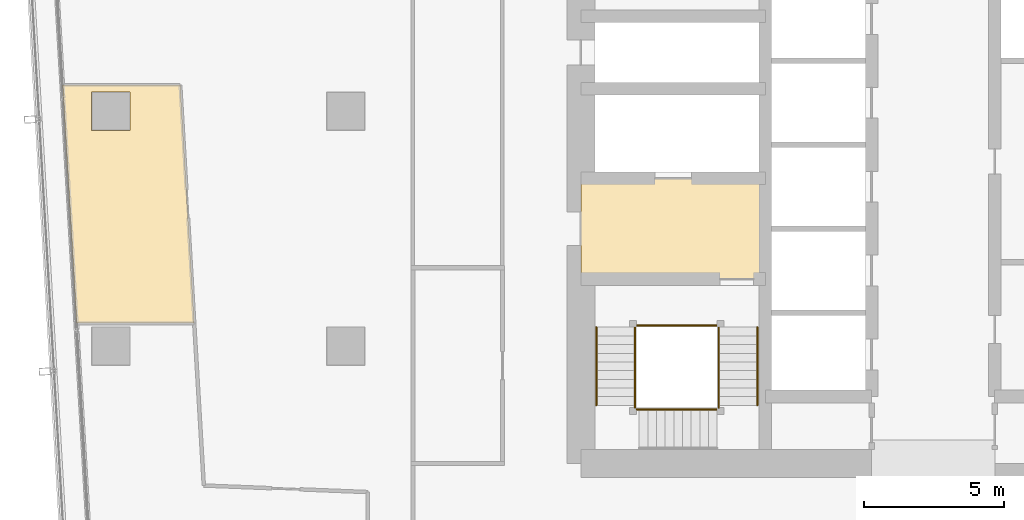
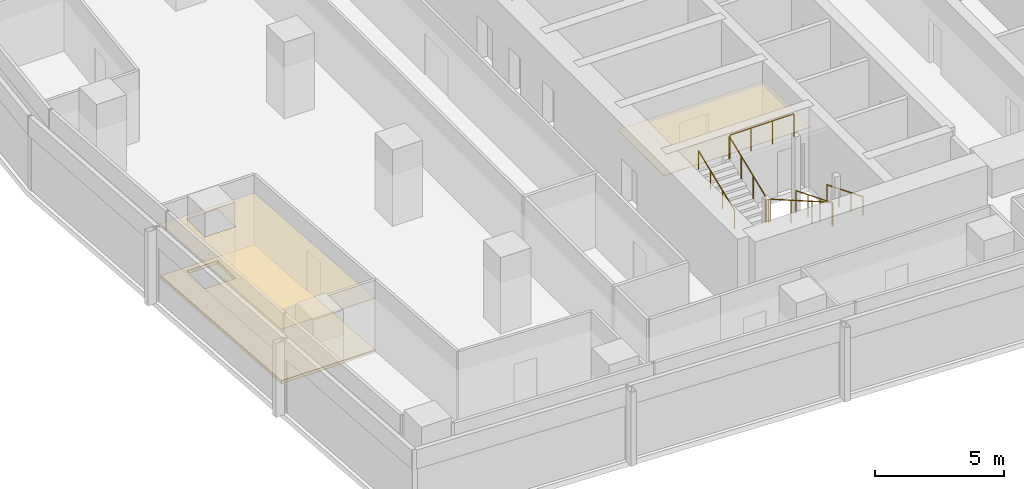
# One storey, part 32 of 38: 9 railings, 3 coverings.
"""IFC4 building model written with IfcOpenShell, lengths in metres."""

from ifc_helpers import new_model, si_unit, direction, frame, origin, origin_2d, place, context, subcontext, project, spatial, polyline, circle, outline, extrude, material, layer, layer_set, type_object, element, save


model = new_model("IFC4")

# Units and contexts
model_context = context("Model", 3, precision=1e-05, world=origin(), true_north=direction((0.0, 1.0)))
body_context = subcontext(model_context, "Body", "Model", "MODEL_VIEW")
ifc_project = project(units=[si_unit("LENGTHUNIT", "METRE"), si_unit("AREAUNIT", "SQUARE_METRE"), si_unit("VOLUMEUNIT", "CUBIC_METRE"), si_unit("PLANEANGLEUNIT", "RADIAN"), si_unit("MASSUNIT", "GRAM", prefix="KILO")], contexts=[model_context])

# Site, building, storey
site_placement = place(None, origin())
site = spatial("IfcSite", under=ifc_project, at=site_placement, CompositionType="ELEMENT")
building_placement = place(site_placement, origin())
building = spatial("IfcBuilding", under=site, at=building_placement, Name="Rekha Terrace Tower", CompositionType="ELEMENT")
storey_placement = place(building_placement, frame((0.0, 0.0, 202.699951171875)))
storey = spatial("IfcBuildingStorey", under=building, at=storey_placement, Name="L51", CompositionType="ELEMENT", Elevation=202.699951171875)

# Coverings
ifc_material_1 = material(Name="Mineral fibre tile in exposed grid", Category="finish")
ifc_layer_1 = layer(ifc_material_1, 0.02001953125)
ifc_layer_set_1 = layer_set([ifc_layer_1], Name="Mineral fibre tile in exposed grid")
covering_type_1 = type_object("IfcCoveringType", Name="CL1 600x1200 office grid ceiling", PredefinedType="CEILING", material=ifc_layer_set_1)
covering_1_placement = place(storey_placement, frame((0.0, 0.0, 2.580078125)))
element("IfcCovering", 1, at=covering_1_placement, inside=storey, type_object=covering_type_1, Name="Ceiling L51-14", PredefinedType="CEILING", context=body_context, shape_type="SweptSolid", body=[
    extrude(outline(polyline([(10.8779296875, 34.535888671875), (6.6708984375, 34.535888671875), (7.172119140625, 26.02392578125), (11.37890625, 26.02392578125), (10.8779296875, 34.535888671875)]), holes=[polyline([(9.090087890625, 34.2900390625), (9.090087890625, 32.909912109375), (7.7099609375, 32.909912109375), (7.7099609375, 34.2900390625), (9.090087890625, 34.2900390625)])]), origin(), (0.0, 0.0, 1.0), 0.02001953125),
])
ifc_material_2 = material(Name="Powder-coated aluminium pan", Category="aluminium")
ifc_layer_2 = layer(ifc_material_2, 0.030029296875)
ifc_layer_set_2 = layer_set([ifc_layer_2], Name="Powder-coated aluminium pan")
covering_type_2 = type_object("IfcCoveringType", Name="CL3 300x1200 metal pan ceiling", PredefinedType="CEILING", material=ifc_layer_set_2)
covering_2_placement = place(storey_placement, frame((0.0, 0.0, 2.570068359375)))
element("IfcCovering", 2, at=covering_2_placement, inside=storey, type_object=covering_type_2, Name="Ceiling L51-FLB1", PredefinedType="CEILING", context=body_context, shape_type="SweptSolid", body=[
    extrude(outline(polyline([(31.800048828125, 31.199951171875), (25.199951171875, 31.199951171875), (25.199951171875, 27.60009765625), (31.800048828125, 27.60009765625), (31.800048828125, 31.199951171875)])), origin(), (0.0, 0.0, 1.0), 0.030029296875),
])

# Railings
ifc_material_3 = material(Name="Stainless steel balustrade", Category="steel")
railing_type_1 = type_object("IfcRailingType", Name="GR1 1100 stair guard", PredefinedType="GUARDRAIL", material=ifc_material_3)
railing_1_placement = place(storey_placement, frame((30.135009765625, 25.875, 0.125)))
element("IfcRailing", 3, at=railing_1_placement, inside=storey, type_object=railing_type_1, Name="Guard ST1 L51 flight 1", PredefinedType="GUARDRAIL", context=body_context, shape_type="SweptSolid", body=[
    extrude(circle(Radius=0.02392578125, at=origin_2d()), frame((0.0, 0.0, 1.076171875), z_axis=(0.0, -0.927443287984, 0.373963831907), x_axis=(1.0, 0.0, 0.0)), (0.0, 0.0, 1.0), 3.00830078125),
    extrude(circle(Radius=0.02099609375, at=origin_2d()), origin(), (0.0, 0.0, 1.0), 1.052001953125),
    extrude(circle(Radius=0.02099609375, at=origin_2d()), frame((0.0, -0.929931640625, 0.375)), (0.0, 0.0, 1.0), 1.052001953125),
    extrude(circle(Radius=0.02099609375, at=origin_2d()), frame((0.0, -1.860107421875, 0.75)), (0.0, 0.0, 1.0), 1.052001953125),
    extrude(circle(Radius=0.02099609375, at=origin_2d()), frame((0.0, -2.7900390625, 1.125)), (0.0, 0.0, 1.0), 1.052001953125),
])
railing_2_placement = place(storey_placement, frame((30.074951171875, 22.93994140625, 1.375)))
element("IfcRailing", 4, at=railing_2_placement, inside=storey, type_object=railing_type_1, Name="Guard ST1 L51 flight 2", PredefinedType="GUARDRAIL", context=body_context, shape_type="SweptSolid", body=[
    extrude(circle(Radius=0.02392578125, at=origin_2d()), frame((0.0, 0.0, 1.076171875), z_axis=(-0.927443287984, 0.0, 0.373963831907), x_axis=(0.0, -1.0, 0.0)), (0.0, 0.0, 1.0), 3.00830078125),
    extrude(circle(Radius=0.02099609375, at=origin_2d()), origin(), (0.0, 0.0, 1.0), 1.052001953125),
    extrude(circle(Radius=0.02099609375, at=origin_2d()), frame((-0.929931640625, 0.0, 0.375)), (0.0, 0.0, 1.0), 1.052001953125),
    extrude(circle(Radius=0.02099609375, at=origin_2d()), frame((-1.860107421875, 0.0, 0.75)), (0.0, 0.0, 1.0), 1.052001953125),
    extrude(circle(Radius=0.02099609375, at=origin_2d()), frame((-2.7900390625, 0.0, 1.125)), (0.0, 0.0, 1.0), 1.052001953125),
])
railing_3_placement = place(storey_placement, frame((27.139892578125, 23.0849609375, 2.625)))
element("IfcRailing", 5, at=railing_3_placement, inside=storey, type_object=railing_type_1, Name="Guard ST1 L51 flight 3", PredefinedType="GUARDRAIL", context=body_context, shape_type="SweptSolid", body=[
    extrude(circle(Radius=0.02392578125, at=origin_2d()), frame((0.0, 0.0, 1.076171875), z_axis=(0.0, 0.927443287984, 0.373963831907), x_axis=(-1.0, 0.0, 0.0)), (0.0, 0.0, 1.0), 3.00830078125),
    extrude(circle(Radius=0.02099609375, at=origin_2d()), origin(), (0.0, 0.0, 1.0), 1.052001953125),
    extrude(circle(Radius=0.02099609375, at=origin_2d()), frame((0.0, 0.929931640625, 0.375)), (0.0, 0.0, 1.0), 1.052001953125),
    extrude(circle(Radius=0.02099609375, at=origin_2d()), frame((0.0, 1.860107421875, 0.75)), (0.0, 0.0, 1.0), 1.052001953125),
    extrude(circle(Radius=0.02099609375, at=origin_2d()), frame((0.0, 2.7900390625, 1.125)), (0.0, 0.0, 1.0), 1.052001953125),
])
railing_4_placement = place(storey_placement, frame((30.135009765625, 23.0849609375, 1.25)))
element("IfcRailing", 6, at=railing_4_placement, inside=storey, type_object=railing_type_1, Name="Guard ST1 L51 landing 1", PredefinedType="GUARDRAIL", context=body_context, shape_type="SweptSolid", body=[
    extrude(circle(Radius=0.02392578125, at=origin_2d()), frame((0.0, 0.0, 1.076171875), z_axis=(0.0, -1.0, 0.0), x_axis=(1.0, 0.0, 0.0)), (0.0, 0.0, 1.0), 0.0849609375),
    extrude(circle(Radius=0.02099609375, at=origin_2d()), origin(), (0.0, 0.0, 1.0), 1.052001953125),
    extrude(circle(Radius=0.02099609375, at=origin_2d()), frame((0.0, -0.0849609375, 0.0)), (0.0, 0.0, 1.0), 1.052001953125),
])
railing_5_placement = place(storey_placement, frame((27.284912109375, 22.93994140625, 2.5)))
element("IfcRailing", 7, at=railing_5_placement, inside=storey, type_object=railing_type_1, Name="Guard ST1 L51 landing 2", PredefinedType="GUARDRAIL", context=body_context, shape_type="SweptSolid", body=[
    extrude(circle(Radius=0.02392578125, at=origin_2d()), frame((0.0, 0.0, 1.076171875), z_axis=(-1.0, 0.0, 0.0), x_axis=(0.0, -1.0, 0.0)), (0.0, 0.0, 1.0), 0.0849609375),
    extrude(circle(Radius=0.02099609375, at=origin_2d()), origin(), (0.0, 0.0, 1.0), 1.052001953125),
    extrude(circle(Radius=0.02099609375, at=origin_2d()), frame((-0.0849609375, 0.0, 0.0)), (0.0, 0.0, 1.0), 1.052001953125),
])
railing_6_placement = place(storey_placement, frame((27.139892578125, 23.0849609375, 2.5)))
element("IfcRailing", 8, at=railing_6_placement, inside=storey, type_object=railing_type_1, Name="Guard ST1 L51 landing 3", PredefinedType="GUARDRAIL", context=body_context, shape_type="SweptSolid", body=[
    extrude(circle(Radius=0.02392578125, at=origin_2d()), frame((0.0, 0.0, 1.076171875), z_axis=(0.0, -1.0, 0.0), x_axis=(1.0, 0.0, 0.0)), (0.0, 0.0, 1.0), 0.0849609375),
    extrude(circle(Radius=0.02099609375, at=origin_2d()), origin(), (0.0, 0.0, 1.0), 1.052001953125),
    extrude(circle(Radius=0.02099609375, at=origin_2d()), frame((0.0, -0.0849609375, 0.0)), (0.0, 0.0, 1.0), 1.052001953125),
])
railing_7_placement = place(storey_placement, frame((30.074951171875, 25.93505859375, 3.75)))
element("IfcRailing", 9, at=railing_7_placement, inside=storey, type_object=railing_type_1, Name="Guard ST1 L51 landing 4", PredefinedType="GUARDRAIL", context=body_context, shape_type="SweptSolid", body=[
    extrude(circle(Radius=0.02392578125, at=origin_2d()), frame((0.0, 0.0, 1.076171875), z_axis=(-1.0, 0.0, 0.0), x_axis=(0.0, -1.0, 0.0)), (0.0, 0.0, 1.0), 2.875),
    extrude(circle(Radius=0.02099609375, at=origin_2d()), origin(), (0.0, 0.0, 1.0), 1.052001953125),
    extrude(circle(Radius=0.02099609375, at=origin_2d()), frame((-0.958251953125, 0.0, 0.0)), (0.0, 0.0, 1.0), 1.052001953125),
    extrude(circle(Radius=0.02099609375, at=origin_2d()), frame((-1.916748046875, 0.0, 0.0)), (0.0, 0.0, 1.0), 1.052001953125),
    extrude(circle(Radius=0.02099609375, at=origin_2d()), frame((-2.875, 0.0, 0.0)), (0.0, 0.0, 1.0), 1.052001953125),
])
ifc_material_4 = material(Name="Stainless steel tube", Category="steel")
railing_type_2 = type_object("IfcRailingType", Name="HR1 900 stair handrail", PredefinedType="HANDRAIL", material=ifc_material_4)
railing_8_placement = place(storey_placement, frame((31.514892578125, 25.875, 0.125)))
element("IfcRailing", 10, at=railing_8_placement, inside=storey, type_object=railing_type_2, Name="Handrail ST1 L51 flight 1", PredefinedType="HANDRAIL", context=body_context, shape_type="SweptSolid", body=[
    extrude(circle(Radius=0.02392578125, at=origin_2d()), frame((0.0, 0.0, 0.8759765625), z_axis=(0.0, -0.927443287984, 0.373963831907), x_axis=(1.0, 0.0, 0.0)), (0.0, 0.0, 1.0), 3.00830078125),
    extrude(circle(Radius=0.02099609375, at=origin_2d()), origin(), (0.0, 0.0, 1.0), 0.851806640625),
    extrude(circle(Radius=0.02099609375, at=origin_2d()), frame((0.0, -0.929931640625, 0.375)), (0.0, 0.0, 1.0), 0.851806640625),
    extrude(circle(Radius=0.02099609375, at=origin_2d()), frame((0.0, -1.860107421875, 0.75)), (0.0, 0.0, 1.0), 0.851806640625),
    extrude(circle(Radius=0.02099609375, at=origin_2d()), frame((0.0, -2.7900390625, 1.125)), (0.0, 0.0, 1.0), 0.851806640625),
])
railing_9_placement = place(storey_placement, frame((25.760009765625, 23.0849609375, 2.625)))
element("IfcRailing", 11, at=railing_9_placement, inside=storey, type_object=railing_type_2, Name="Handrail ST1 L51 flight 3", PredefinedType="HANDRAIL", context=body_context, shape_type="SweptSolid", body=[
    extrude(circle(Radius=0.02392578125, at=origin_2d()), frame((0.0, 0.0, 0.8759765625), z_axis=(0.0, 0.927443287984, 0.373963831907), x_axis=(-1.0, 0.0, 0.0)), (0.0, 0.0, 1.0), 3.00830078125),
    extrude(circle(Radius=0.02099609375, at=origin_2d()), origin(), (0.0, 0.0, 1.0), 0.851806640625),
    extrude(circle(Radius=0.02099609375, at=origin_2d()), frame((0.0, 0.929931640625, 0.375)), (0.0, 0.0, 1.0), 0.851806640625),
    extrude(circle(Radius=0.02099609375, at=origin_2d()), frame((0.0, 1.860107421875, 0.75)), (0.0, 0.0, 1.0), 0.851806640625),
    extrude(circle(Radius=0.02099609375, at=origin_2d()), frame((0.0, 2.7900390625, 1.125)), (0.0, 0.0, 1.0), 0.851806640625),
])

# Covering
ifc_material_5 = material(Name="Calcium sulphate panels on steel pedestals", Category="steel")
ifc_layer_3 = layer(ifc_material_5, 0.14990234375)
ifc_layer_set_3 = layer_set([ifc_layer_3], Name="Calcium sulphate panels on steel pedestals")
covering_type_3 = type_object("IfcCoveringType", Name="RF1 150 raised access floor", PredefinedType="FLOORING", material=ifc_layer_set_3)
covering_3_placement = place(storey_placement, origin())
element("IfcCovering", 12, at=covering_3_placement, inside=storey, type_object=covering_type_3, Name="Raised floor L51-14", PredefinedType="FLOORING", context=body_context, shape_type="SweptSolid", body=[
    extrude(outline(polyline([(10.8779296875, 34.535888671875), (6.6708984375, 34.535888671875), (7.172119140625, 26.02392578125), (11.37890625, 26.02392578125), (10.8779296875, 34.535888671875)]), holes=[polyline([(9.090087890625, 34.2900390625), (9.090087890625, 32.909912109375), (7.7099609375, 32.909912109375), (7.7099609375, 34.2900390625), (9.090087890625, 34.2900390625)])]), origin(), (0.0, 0.0, 1.0), 0.150146484375),
])

save(model, "model.ifc")
